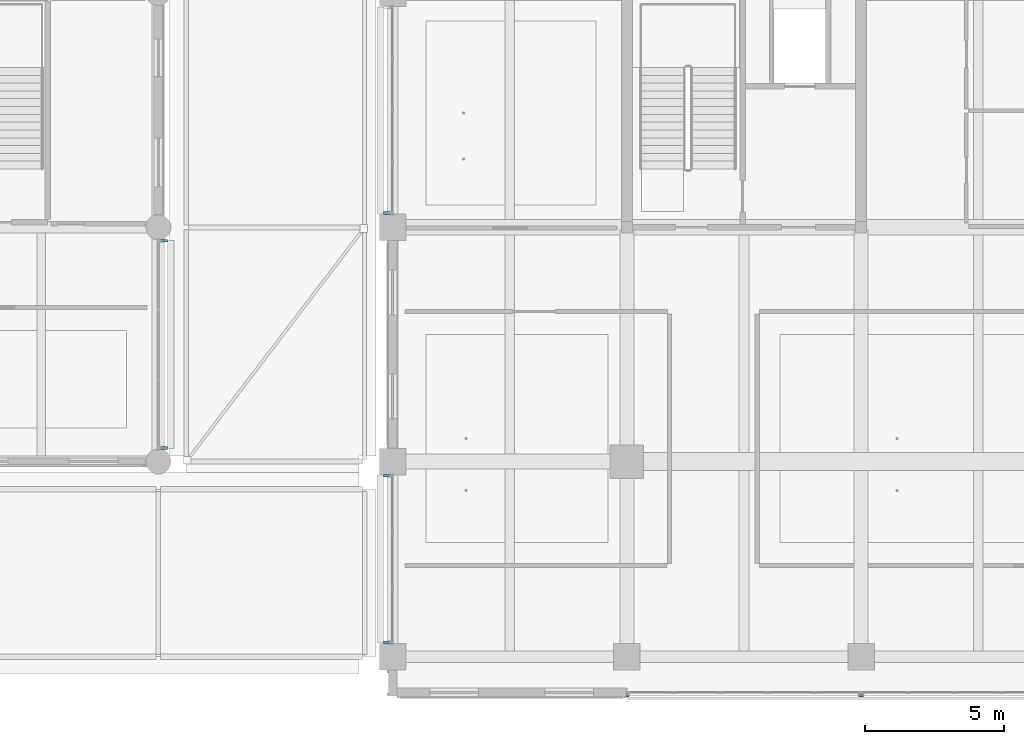
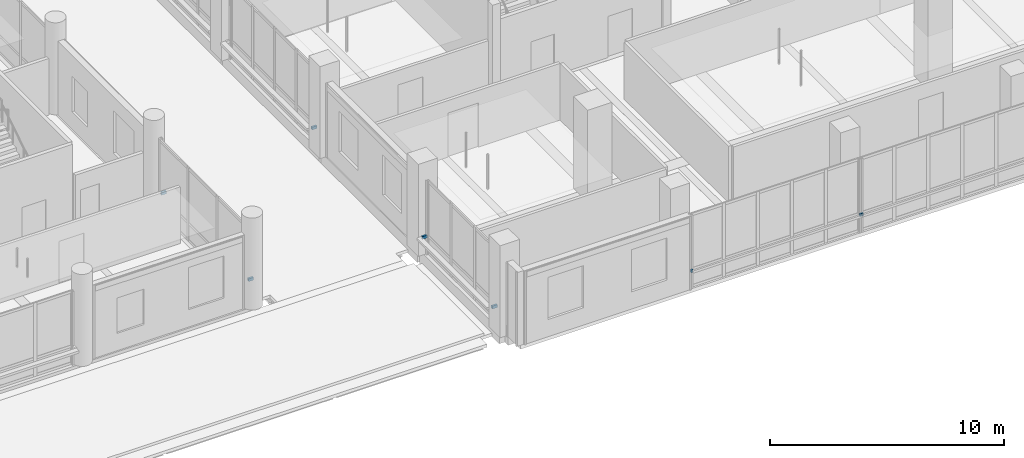
# One storey, part 72 of 128: 8 discrete accessories.
"""IFC4 building model written with IfcOpenShell, lengths in metres."""

import ifcopenshell
import ifcopenshell.guid

model = None  # the IFC model being written
_history = None  # IfcOwnerHistory: only IFC2X3 demands one
_inside = {}  # id of a spatial element -> (the spatial element, [elements in it])
_under = {}  # id of a project, library or spatial element -> (it, [spatial elements below it])
_declared = {}  # id of a project -> (the project, [libraries it declares])
_typed = {}  # id of a type object -> (the type object, [elements of that type])
_made_of = {}  # id of a material, layer set ... -> (it, [elements and type objects made of it])


def new_model(schema):
    """Start an empty IFC model of exactly this schema.

    Asked for "IFC4X3", IfcOpenShell would pick the latest addendum, in which some entities
    have other attributes; the version numbers below select the first issue.
    IFC2X3 requires an IfcOwnerHistory on every rooted entity: one is made here for all.
    """
    global model, _history
    if schema == "IFC4X3":
        model = ifcopenshell.file(schema_version=(4, 3, 0, 0))
    else:
        model = ifcopenshell.file(schema=schema)
    _inside.clear()
    _under.clear()
    _declared.clear()
    _typed.clear()
    _made_of.clear()
    _history = None
    if model.schema == "IFC2X3":
        org = make("IfcOrganization", Name="unknown")
        user = make(
            "IfcPersonAndOrganization",
            ThePerson=make("IfcPerson", FamilyName="unknown"),
            TheOrganization=org,
        )
        app = make(
            "IfcApplication",
            ApplicationDeveloper=org,
            Version="unknown",
            ApplicationFullName="unknown",
            ApplicationIdentifier="unknown",
        )
        _history = make(
            "IfcOwnerHistory",
            OwningUser=user,
            OwningApplication=app,
            ChangeAction="ADDED",
            CreationDate=0,
        )
    return model


def make(cls, **values):
    """One entity of the class cls with the attributes given. An attribute that is None is left unset."""
    return model.create_entity(
        cls, **{name: value for name, value in values.items() if value is not None}
    )


def rooted(cls, **values):
    """An entity with a GlobalId (a new one), such as an element, a storey or a relation."""
    return make(cls, GlobalId=ifcopenshell.guid.new(), OwnerHistory=_history, **values)


def si_unit(unit_type, name, prefix=None):
    """IfcSIUnit, for example si_unit("LENGTHUNIT", "METRE", prefix="MILLI")."""
    return make("IfcSIUnit", UnitType=unit_type, Prefix=prefix, Name=name)


def assignment(units):
    """IfcUnitAssignment: the units of a project."""
    return None if units is None else make("IfcUnitAssignment", Units=units)


def point(xyz):
    """IfcCartesianPoint."""
    return None if xyz is None else make("IfcCartesianPoint", Coordinates=xyz)


def direction(xyz):
    """IfcDirection."""
    return None if xyz is None else make("IfcDirection", DirectionRatios=xyz)


def frame(location, z_axis=None, x_axis=None):
    """IfcAxis2Placement3D, a coordinate frame: its origin and axes. An axis left out is left unset."""
    return make(
        "IfcAxis2Placement3D",
        Location=point(location),
        Axis=direction(z_axis),
        RefDirection=direction(x_axis),
    )


def frame_2d(location, x_axis=None):
    """IfcAxis2Placement2D, a coordinate frame in the plane: its origin and x axis."""
    return make(
        "IfcAxis2Placement2D", Location=point(location), RefDirection=direction(x_axis)
    )


def origin():
    """The frame at (0, 0, 0) with its axes left unset."""
    return frame((0.0, 0.0, 0.0))


def origin_2d():
    """The frame at (0, 0) in the plane with its x axis left unset."""
    return frame_2d((0.0, 0.0))


def place(relative_to, where):
    """IfcLocalPlacement: puts the frame where relative to a parent placement (None: the world)."""
    return make(
        "IfcLocalPlacement", PlacementRelTo=relative_to, RelativePlacement=where
    )


def context(
    kind, dimensions, precision=None, world=None, true_north=None, identifier=None
):
    """IfcGeometricRepresentationContext, for example the 3D "Model" context."""
    return make(
        "IfcGeometricRepresentationContext",
        ContextIdentifier=identifier,
        ContextType=kind,
        CoordinateSpaceDimension=dimensions,
        Precision=precision,
        WorldCoordinateSystem=world,
        TrueNorth=true_north,
    )


def subcontext(parent, identifier, kind, view, scale=None):
    """IfcGeometricRepresentationSubContext, for example "Body" below "Model"."""
    return make(
        "IfcGeometricRepresentationSubContext",
        ContextIdentifier=identifier,
        ContextType=kind,
        ParentContext=parent,
        TargetScale=scale,
        TargetView=view,
    )


def project(units=None, contexts=None):
    """IfcProject with its units and contexts."""
    return rooted(
        "IfcProject",
        Name="project",
        RepresentationContexts=contexts,
        UnitsInContext=assignment(units),
    )


def spatial(cls, under=None, at=None, **own):
    """A site, building, storey or space (cls), placed at a placement, below another one or the project."""
    s = rooted(cls, ObjectPlacement=at, **own)
    if under is not None:
        _under.setdefault(under.id(), (under, []))[1].append(s)
    return s


def profile(cls, at=None, kind="AREA", **sizes):
    """A parametric profile (cls). Its sizes go by their IFC names, for example OverallWidth=200.0."""
    return make(cls, ProfileType=kind, Position=at, **sizes)


def rectangle(**sizes):
    """IfcRectangleProfileDef."""
    return profile("IfcRectangleProfileDef", **sizes)


def extrude(swept, where, along, depth):
    """IfcExtrudedAreaSolid: the profile swept, set in the frame where, extruded along a direction by depth."""
    return make(
        "IfcExtrudedAreaSolid",
        SweptArea=swept,
        Position=where,
        ExtrudedDirection=direction(along),
        Depth=depth,
    )


def shape(context_of_items, identifier, shape_type, items):
    """IfcShapeRepresentation: the items that make up one representation, for example the "Body"."""
    return make(
        "IfcShapeRepresentation",
        ContextOfItems=context_of_items,
        RepresentationIdentifier=identifier,
        RepresentationType=shape_type,
        Items=items,
    )


def material(Name=None, Category=None):
    """IfcMaterial."""
    return make("IfcMaterial", Name=Name, Category=Category)


def made_of(thing, what):
    """Note that an element or type object is made of a material, layer set ...; save() writes the relation."""
    if what is not None:
        _made_of.setdefault(what.id(), (what, []))[1].append(thing)
    return thing


def type_object(cls, material=None, **own):
    """A type object (cls), such as IfcWallType, which elements share."""
    return made_of(rooted(cls, **own), material)


def element(
    cls,
    number,
    at=None,
    inside=None,
    cuts=None,
    type_object=None,
    material=None,
    context=None,
    identifier="Body",
    shape_type=None,
    held_by="IfcProductDefinitionShape",
    body=None,
    shapes=None,
    **own,
):
    """One element of the class cls, such as IfcWall. Its Tag is "e" and its number.

    at: its placement. inside: the storey or other place that contains it. cuts: it is an
    opening in that element (IfcRelVoidsElement). A single representation is given by context,
    identifier, shape_type and body (its items); several are given by shapes. held_by: the class
    of the entity that holds the representations. save() writes the other relations.
    """
    e = rooted(cls, Tag="e%d" % number, ObjectPlacement=at, **own)
    if body is not None:
        shapes = [shape(context, identifier, shape_type, body)]
    if shapes is not None:
        e.Representation = make(held_by, Representations=shapes)
    if inside is not None:
        _inside.setdefault(inside.id(), (inside, []))[1].append(e)
    if cuts is not None:
        rooted(
            "IfcRelVoidsElement", RelatingBuildingElement=cuts, RelatedOpeningElement=e
        )
    if type_object is not None:
        _typed.setdefault(type_object.id(), (type_object, []))[1].append(e)
    return made_of(e, material)


def aggregate(whole, parts):
    """IfcRelAggregates: a whole, such as a stair, and the parts it consists of."""
    return rooted("IfcRelAggregates", RelatingObject=whole, RelatedObjects=parts)


def save(model, path):
    """Write the relations noted so far, then the file.

    IfcRelAggregates (storeys below a building ...), IfcRelContainedInSpatialStructure (elements
    in a storey), IfcRelDefinesByType, IfcRelAssociatesMaterial and IfcRelDeclares: one each for
    every whole, place, type object, material and project.
    """
    for whole, parts in _under.values():
        aggregate(whole, parts)
    for where, things in _inside.values():
        rooted(
            "IfcRelContainedInSpatialStructure",
            RelatedElements=things,
            RelatingStructure=where,
        )
    for kind, things in _typed.values():
        rooted("IfcRelDefinesByType", RelatedObjects=things, RelatingType=kind)
    for what, things in _made_of.values():
        rooted("IfcRelAssociatesMaterial", RelatedObjects=things, RelatingMaterial=what)
    for by, libraries in _declared.values():
        rooted("IfcRelDeclares", RelatingContext=by, RelatedDefinitions=libraries)
    model.write(path)


model = new_model("IFC4")

# Units and contexts
model_context = context("Model", 3, precision=1e-05, world=origin(), true_north=direction((0.0, 1.0)))
body_context = subcontext(model_context, "Body", "Model", "MODEL_VIEW")
ifc_project = project(units=[si_unit("LENGTHUNIT", "METRE"), si_unit("AREAUNIT", "SQUARE_METRE"), si_unit("VOLUMEUNIT", "CUBIC_METRE"), si_unit("PLANEANGLEUNIT", "RADIAN"), si_unit("MASSUNIT", "GRAM", prefix="KILO")], contexts=[model_context])

# Site, building, storey
site_placement = place(None, origin())
site = spatial("IfcSite", under=ifc_project, at=site_placement, CompositionType="ELEMENT")
building_placement = place(site_placement, origin())
building = spatial("IfcBuilding", under=site, at=building_placement, Name="Telukmera Botanical Conservatory", CompositionType="ELEMENT")
storey_placement = place(building_placement, frame((0.0, 0.0, 5.39990234375)))
storey = spatial("IfcBuildingStorey", under=building, at=storey_placement, Name="L01", CompositionType="ELEMENT", Elevation=5.39990234375)

# Discrete accessories
ifc_material = material(Name="Steel S355", Category="steel")
discrete_accessory_type = type_object("IfcDiscreteAccessoryType", Name="Structural Steel Facade Outrigger Fin Bracket", PredefinedType="BRACKET", material=ifc_material)
for number, where, z_axis, x_axis, name in (
    (1, (42.199951171875, 18.08447265625, 0.88037109375), (0.0, 0.0, 1.0), (0.0, 1.0, 0.0), "Facade Outrigger Bracket V3:L01:E1 A"),
    (2, (42.199951171875, 25.515380859375, 0.88037109375), (0.0, 0.0, 1.0), (0.0, 1.0, 0.0), "Facade Outrigger Bracket V3:L01:E1 B"),
):
    element("IfcDiscreteAccessory", number, at=place(storey_placement, frame(where, z_axis=z_axis, x_axis=x_axis)), inside=storey, type_object=discrete_accessory_type, Name=name, PredefinedType="BRACKET", context=body_context, shape_type="SweptSolid", body=[
        extrude(rectangle(XDim=0.10009765625, YDim=0.239990234375, at=origin_2d()), origin(), (0.0, 0.0, 1.0), 0.139892578125),
    ])
for number, where, z_axis, x_axis, name in (
    (3, (58.83447265625, 9.195068359375, 0.88037109375), (0.0, 0.0, 1.0), (1.0, 0.0, 0.0), "Facade Outrigger Bracket V4:L01:S2 A"),
    (4, (67.16552734375, 9.195068359375, 0.88037109375), (0.0, 0.0, 1.0), (1.0, 0.0, 0.0), "Facade Outrigger Bracket V4:L01:S2 B"),
    (5, (67.234619140625, 9.195068359375, 0.88037109375), (0.0, 0.0, 1.0), (1.0, 0.0, 0.0), "Facade Outrigger Bracket V4:L01:S3 A"),
):
    element("IfcDiscreteAccessory", number, at=place(storey_placement, frame(where, z_axis=z_axis, x_axis=x_axis)), inside=storey, type_object=discrete_accessory_type, Name=name, PredefinedType="BRACKET", context=body_context, shape_type="SweptSolid", body=[
        extrude(rectangle(XDim=0.10009765625, YDim=0.090087890625, at=origin_2d()), origin(), (0.0, 0.0, 1.0), 0.139892578125),
    ])
for number, where, z_axis, x_axis, name in (
    (6, (50.199951171875, 11.109619140625, 0.88037109375), (0.0, 0.0, 1.0), (0.0, 1.0, 0.0), "Facade Outrigger Bracket V4:L01:W1 A"),
    (7, (50.199951171875, 17.090576171875, 0.88037109375), (0.0, 0.0, 1.0), (0.0, 1.0, 0.0), "Facade Outrigger Bracket V4:L01:W1 B"),
    (8, (50.199951171875, 26.509521484375, 0.88037109375), (0.0, 0.0, 1.0), (0.0, 1.0, 0.0), "Facade Outrigger Bracket V4:L01:W3 A"),
):
    element("IfcDiscreteAccessory", number, at=place(storey_placement, frame(where, z_axis=z_axis, x_axis=x_axis)), inside=storey, type_object=discrete_accessory_type, Name=name, PredefinedType="BRACKET", context=body_context, shape_type="SweptSolid", body=[
        extrude(rectangle(XDim=0.10009765625, YDim=0.239990234375, at=origin_2d()), origin(), (0.0, 0.0, 1.0), 0.139892578125),
    ])

save(model, "model.ifc")
